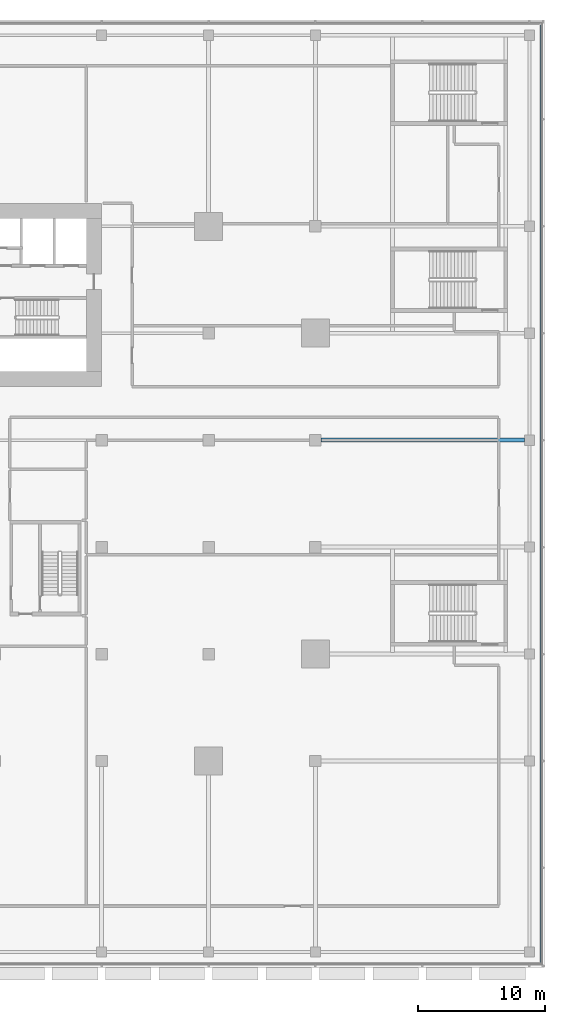
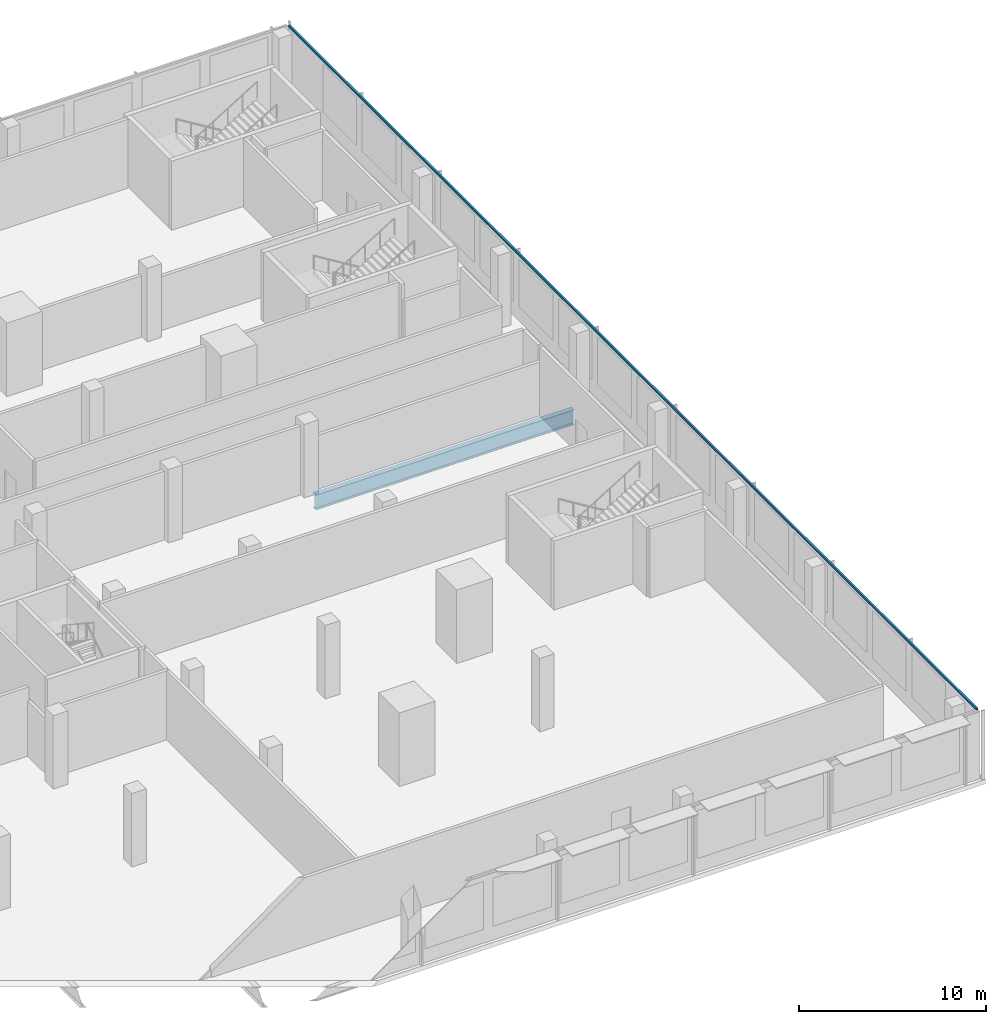
# One storey, part 15 of 39: 1 beam, 1 member, 1 element without a shape of its own.
"""IFC4 building model written with IfcOpenShell, lengths in metres."""

import ifcopenshell
import ifcopenshell.guid

model = None  # the IFC model being written
_history = None  # IfcOwnerHistory: only IFC2X3 demands one
_inside = {}  # id of a spatial element -> (the spatial element, [elements in it])
_under = {}  # id of a project, library or spatial element -> (it, [spatial elements below it])
_declared = {}  # id of a project -> (the project, [libraries it declares])
_typed = {}  # id of a type object -> (the type object, [elements of that type])
_made_of = {}  # id of a material, layer set ... -> (it, [elements and type objects made of it])


def new_model(schema):
    """Start an empty IFC model of exactly this schema.

    Asked for "IFC4X3", IfcOpenShell would pick the latest addendum, in which some entities
    have other attributes; the version numbers below select the first issue.
    IFC2X3 requires an IfcOwnerHistory on every rooted entity: one is made here for all.
    """
    global model, _history
    if schema == "IFC4X3":
        model = ifcopenshell.file(schema_version=(4, 3, 0, 0))
    else:
        model = ifcopenshell.file(schema=schema)
    _inside.clear()
    _under.clear()
    _declared.clear()
    _typed.clear()
    _made_of.clear()
    _history = None
    if model.schema == "IFC2X3":
        org = make("IfcOrganization", Name="unknown")
        user = make(
            "IfcPersonAndOrganization",
            ThePerson=make("IfcPerson", FamilyName="unknown"),
            TheOrganization=org,
        )
        app = make(
            "IfcApplication",
            ApplicationDeveloper=org,
            Version="unknown",
            ApplicationFullName="unknown",
            ApplicationIdentifier="unknown",
        )
        _history = make(
            "IfcOwnerHistory",
            OwningUser=user,
            OwningApplication=app,
            ChangeAction="ADDED",
            CreationDate=0,
        )
    return model


def make(cls, **values):
    """One entity of the class cls with the attributes given. An attribute that is None is left unset."""
    return model.create_entity(
        cls, **{name: value for name, value in values.items() if value is not None}
    )


def rooted(cls, **values):
    """An entity with a GlobalId (a new one), such as an element, a storey or a relation."""
    return make(cls, GlobalId=ifcopenshell.guid.new(), OwnerHistory=_history, **values)


def si_unit(unit_type, name, prefix=None):
    """IfcSIUnit, for example si_unit("LENGTHUNIT", "METRE", prefix="MILLI")."""
    return make("IfcSIUnit", UnitType=unit_type, Prefix=prefix, Name=name)


def assignment(units):
    """IfcUnitAssignment: the units of a project."""
    return None if units is None else make("IfcUnitAssignment", Units=units)


def point(xyz):
    """IfcCartesianPoint."""
    return None if xyz is None else make("IfcCartesianPoint", Coordinates=xyz)


def direction(xyz):
    """IfcDirection."""
    return None if xyz is None else make("IfcDirection", DirectionRatios=xyz)


def frame(location, z_axis=None, x_axis=None):
    """IfcAxis2Placement3D, a coordinate frame: its origin and axes. An axis left out is left unset."""
    return make(
        "IfcAxis2Placement3D",
        Location=point(location),
        Axis=direction(z_axis),
        RefDirection=direction(x_axis),
    )


def frame_2d(location, x_axis=None):
    """IfcAxis2Placement2D, a coordinate frame in the plane: its origin and x axis."""
    return make(
        "IfcAxis2Placement2D", Location=point(location), RefDirection=direction(x_axis)
    )


def origin():
    """The frame at (0, 0, 0) with its axes left unset."""
    return frame((0.0, 0.0, 0.0))


def origin_2d():
    """The frame at (0, 0) in the plane with its x axis left unset."""
    return frame_2d((0.0, 0.0))


def place(relative_to, where):
    """IfcLocalPlacement: puts the frame where relative to a parent placement (None: the world)."""
    return make(
        "IfcLocalPlacement", PlacementRelTo=relative_to, RelativePlacement=where
    )


def context(
    kind, dimensions, precision=None, world=None, true_north=None, identifier=None
):
    """IfcGeometricRepresentationContext, for example the 3D "Model" context."""
    return make(
        "IfcGeometricRepresentationContext",
        ContextIdentifier=identifier,
        ContextType=kind,
        CoordinateSpaceDimension=dimensions,
        Precision=precision,
        WorldCoordinateSystem=world,
        TrueNorth=true_north,
    )


def subcontext(parent, identifier, kind, view, scale=None):
    """IfcGeometricRepresentationSubContext, for example "Body" below "Model"."""
    return make(
        "IfcGeometricRepresentationSubContext",
        ContextIdentifier=identifier,
        ContextType=kind,
        ParentContext=parent,
        TargetScale=scale,
        TargetView=view,
    )


def project(units=None, contexts=None):
    """IfcProject with its units and contexts."""
    return rooted(
        "IfcProject",
        Name="project",
        RepresentationContexts=contexts,
        UnitsInContext=assignment(units),
    )


def spatial(cls, under=None, at=None, **own):
    """A site, building, storey or space (cls), placed at a placement, below another one or the project."""
    s = rooted(cls, ObjectPlacement=at, **own)
    if under is not None:
        _under.setdefault(under.id(), (under, []))[1].append(s)
    return s


def profile(cls, at=None, kind="AREA", **sizes):
    """A parametric profile (cls). Its sizes go by their IFC names, for example OverallWidth=200.0."""
    return make(cls, ProfileType=kind, Position=at, **sizes)


def rectangle(**sizes):
    """IfcRectangleProfileDef."""
    return profile("IfcRectangleProfileDef", **sizes)


def i_section(**sizes):
    """IfcIShapeProfileDef."""
    return profile("IfcIShapeProfileDef", **sizes)


def extrude(swept, where, along, depth):
    """IfcExtrudedAreaSolid: the profile swept, set in the frame where, extruded along a direction by depth."""
    return make(
        "IfcExtrudedAreaSolid",
        SweptArea=swept,
        Position=where,
        ExtrudedDirection=direction(along),
        Depth=depth,
    )


def shape(context_of_items, identifier, shape_type, items):
    """IfcShapeRepresentation: the items that make up one representation, for example the "Body"."""
    return make(
        "IfcShapeRepresentation",
        ContextOfItems=context_of_items,
        RepresentationIdentifier=identifier,
        RepresentationType=shape_type,
        Items=items,
    )


def material(Name=None, Category=None):
    """IfcMaterial."""
    return make("IfcMaterial", Name=Name, Category=Category)


def material_profile(
    of_material, cross_section, Name=None, Category=None, Priority=None
):
    """IfcMaterialProfile: a cross section and its material."""
    return make(
        "IfcMaterialProfile",
        Name=Name,
        Material=of_material,
        Profile=cross_section,
        Priority=Priority,
        Category=Category,
    )


def profile_set(profiles, Name=None, composite=None):
    """IfcMaterialProfileSet."""
    return make(
        "IfcMaterialProfileSet",
        Name=Name,
        MaterialProfiles=profiles,
        CompositeProfile=composite,
    )


def made_of(thing, what):
    """Note that an element or type object is made of a material, layer set ...; save() writes the relation."""
    if what is not None:
        _made_of.setdefault(what.id(), (what, []))[1].append(thing)
    return thing


def type_object(cls, material=None, **own):
    """A type object (cls), such as IfcWallType, which elements share."""
    return made_of(rooted(cls, **own), material)


def element(
    cls,
    number,
    at=None,
    inside=None,
    cuts=None,
    type_object=None,
    material=None,
    context=None,
    identifier="Body",
    shape_type=None,
    held_by="IfcProductDefinitionShape",
    body=None,
    shapes=None,
    **own,
):
    """One element of the class cls, such as IfcWall. Its Tag is "e" and its number.

    at: its placement. inside: the storey or other place that contains it. cuts: it is an
    opening in that element (IfcRelVoidsElement). A single representation is given by context,
    identifier, shape_type and body (its items); several are given by shapes. held_by: the class
    of the entity that holds the representations. save() writes the other relations.
    """
    e = rooted(cls, Tag="e%d" % number, ObjectPlacement=at, **own)
    if body is not None:
        shapes = [shape(context, identifier, shape_type, body)]
    if shapes is not None:
        e.Representation = make(held_by, Representations=shapes)
    if inside is not None:
        _inside.setdefault(inside.id(), (inside, []))[1].append(e)
    if cuts is not None:
        rooted(
            "IfcRelVoidsElement", RelatingBuildingElement=cuts, RelatedOpeningElement=e
        )
    if type_object is not None:
        _typed.setdefault(type_object.id(), (type_object, []))[1].append(e)
    return made_of(e, material)


def aggregate(whole, parts):
    """IfcRelAggregates: a whole, such as a stair, and the parts it consists of."""
    return rooted("IfcRelAggregates", RelatingObject=whole, RelatedObjects=parts)


def save(model, path):
    """Write the relations noted so far, then the file.

    IfcRelAggregates (storeys below a building ...), IfcRelContainedInSpatialStructure (elements
    in a storey), IfcRelDefinesByType, IfcRelAssociatesMaterial and IfcRelDeclares: one each for
    every whole, place, type object, material and project.
    """
    for whole, parts in _under.values():
        aggregate(whole, parts)
    for where, things in _inside.values():
        rooted(
            "IfcRelContainedInSpatialStructure",
            RelatedElements=things,
            RelatingStructure=where,
        )
    for kind, things in _typed.values():
        rooted("IfcRelDefinesByType", RelatedObjects=things, RelatingType=kind)
    for what, things in _made_of.values():
        rooted("IfcRelAssociatesMaterial", RelatedObjects=things, RelatingMaterial=what)
    for by, libraries in _declared.values():
        rooted("IfcRelDeclares", RelatingContext=by, RelatedDefinitions=libraries)
    model.write(path)


model = new_model("IFC4")

# Units and contexts
model_context = context("Model", 3, precision=1e-05, world=origin(), true_north=direction((0.0, 1.0)))
body_context = subcontext(model_context, "Body", "Model", "MODEL_VIEW")
ifc_project = project(units=[si_unit("LENGTHUNIT", "METRE"), si_unit("AREAUNIT", "SQUARE_METRE"), si_unit("VOLUMEUNIT", "CUBIC_METRE"), si_unit("PLANEANGLEUNIT", "RADIAN"), si_unit("MASSUNIT", "GRAM", prefix="KILO")], contexts=[model_context])

# Site, building, storey
site_placement = place(None, origin())
site = spatial("IfcSite", under=ifc_project, at=site_placement, CompositionType="ELEMENT")
building_placement = place(site_placement, origin())
building = spatial("IfcBuilding", under=site, at=building_placement, Name="Saffron Gate Tower", CompositionType="ELEMENT")
storey_placement = place(building_placement, frame((0.0, 0.0, 14.39990234375)))
storey = spatial("IfcBuildingStorey", under=building, at=storey_placement, Name="L02", CompositionType="ELEMENT", Elevation=14.39990234375)

# Beam
ifc_material_1 = material(Name="Structural steel S355", Category="steel")
ifc_material_profile_1 = material_profile(ifc_material_1, i_section(OverallWidth=0.300048828125, OverallDepth=0.989990234375, WebThickness=0.0166015625, FlangeThickness=0.031005859375, FilletRadius=0.030029296875, at=origin_2d()))
ifc_profile_set_1 = profile_set([ifc_material_profile_1], Name="Structural steel S355")
beam_type = type_object("IfcBeamType", Name="B21 HEA 1000", PredefinedType="BEAM", material=ifc_profile_set_1)
beam_placement = place(storey_placement, frame((141.800048828125, 57.0, -0.794921875), z_axis=(-1.0, 0.0, 0.0), x_axis=(0.0, -1.0, 0.0)))
element("IfcBeam", 1, at=beam_placement, inside=storey, type_object=beam_type, Name="B21 PODIUM RING GIRDER", PredefinedType="BEAM", context=body_context, shape_type="SweptSolid", body=[
    extrude(i_section(OverallWidth=0.300048828125, OverallDepth=0.989990234375, WebThickness=0.0166015625, FlangeThickness=0.031005859375, FilletRadius=0.030029296875, at=origin_2d()), origin(), (0.0, 0.0, 1.0), 15.949951171875),
])

# Curtain wall, member
ifc_material_2 = material(Name="Aluminium, bronze anodised", Category="aluminium")
curtain_wall_type = type_object("IfcCurtainWallType", Name="CWS5 curtain wall podium ring base", PredefinedType="NOTDEFINED", material=ifc_material_2)
curtain_wall_placement = place(storey_placement, origin())
curtain_wall = element("IfcCurtainWall", 2, at=curtain_wall_placement, inside=storey, type_object=curtain_wall_type, Name="CWS5 run 2", PredefinedType="NOTDEFINED")
ifc_material_profile_2 = material_profile(ifc_material_2, rectangle(XDim=0.1201171875, YDim=0.1201171875, at=origin_2d()))
ifc_profile_set_2 = profile_set([ifc_material_profile_2], Name="Aluminium, bronze anodised")
member_type = type_object("IfcMemberType", Name="CWS5 head transom", PredefinedType="USERDEFINED", material=ifc_profile_set_2)
member_placement = place(storey_placement, frame((143.112060546875, 16.008056640625, 4.440185546875), z_axis=(0.0, 1.0, 0.0), x_axis=(-1.0, 0.0, 0.0)))
member = element("IfcMember", 3, at=member_placement, type_object=member_type, Name="CWS5 head transom", ObjectType="TRANSOM", PredefinedType="USERDEFINED", context=body_context, shape_type="SweptSolid", body=[
    extrude(rectangle(XDim=0.1201171875, YDim=0.1201171875, at=origin_2d()), origin(), (0.0, 0.0, 1.0), 73.583984375),
])
aggregate(curtain_wall, [member])

save(model, "model.ifc")
